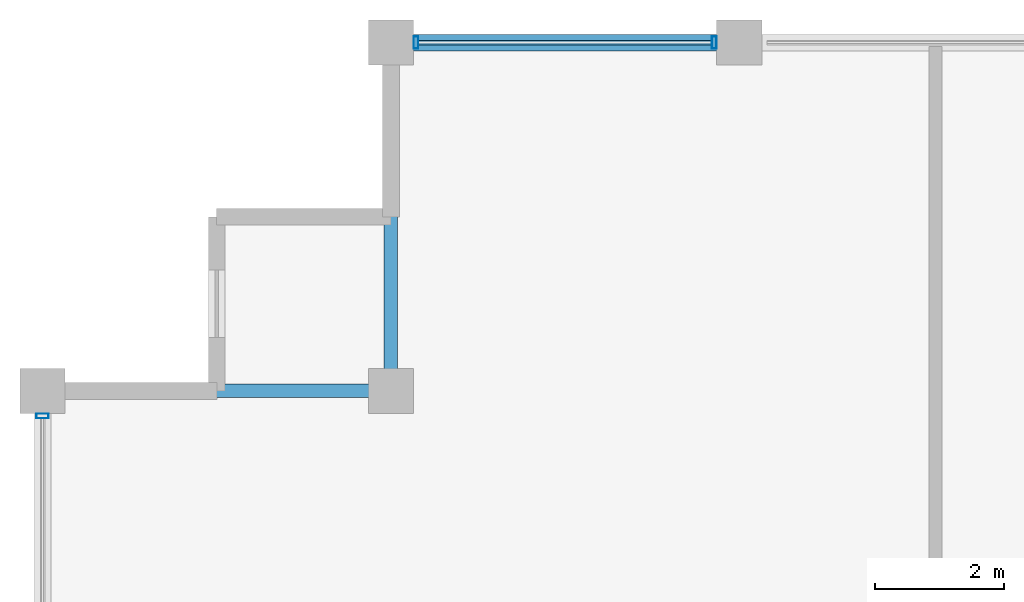
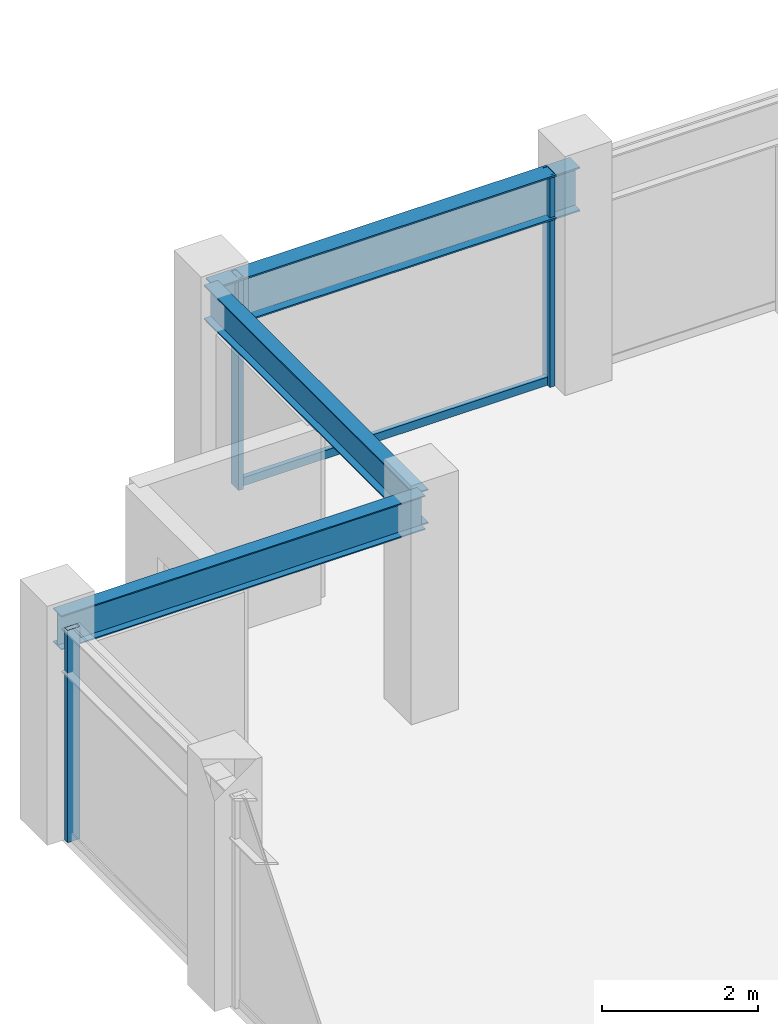
# One storey, part 16 of 31: 4 members, 3 beams, 2 elements without a shape of their own.
"""IFC4 building model written with IfcOpenShell, lengths in metres."""

from ifc_helpers import new_model, si_unit, direction, frame, origin, origin_2d, place, context, subcontext, project, spatial, hollow_rectangle, i_section, extrude, material, layer, layer_set, material_profile, profile_set, type_object, element, aggregate, save


model = new_model("IFC4")

# Units and contexts
model_context = context("Model", 3, precision=1e-05, world=origin(), true_north=direction((0.0, 1.0)))
body_context = subcontext(model_context, "Body", "Model", "MODEL_VIEW")
ifc_project = project(units=[si_unit("LENGTHUNIT", "METRE"), si_unit("AREAUNIT", "SQUARE_METRE"), si_unit("VOLUMEUNIT", "CUBIC_METRE"), si_unit("PLANEANGLEUNIT", "RADIAN"), si_unit("MASSUNIT", "GRAM", prefix="KILO")], contexts=[model_context])

# Site, building, storey
site_placement = place(None, origin())
site = spatial("IfcSite", under=ifc_project, at=site_placement, CompositionType="ELEMENT")
building_placement = place(site_placement, origin())
building = spatial("IfcBuilding", under=site, at=building_placement, Name="Surkhivell Harbour Commons", CompositionType="ELEMENT")
storey_placement = place(building_placement, frame((0.0, 0.0, 333.75)))
storey = spatial("IfcBuildingStorey", under=building, at=storey_placement, Name="L87", CompositionType="ELEMENT", Elevation=333.75)

# Beams
ifc_material_1 = material(Name="Steel S355", Category="steel")
ifc_material_profile_1 = material_profile(ifc_material_1, i_section(OverallWidth=0.2099609375, OverallDepth=0.537109375, WebThickness=0.0107421875, FlangeThickness=0.017333984375, at=origin_2d()), Name="UB533x210x101")
ifc_profile_set_1 = profile_set([ifc_material_profile_1], Name="Steel S355")
beam_type_1 = type_object("IfcBeamType", Name="BM-GRD-533B", PredefinedType="BEAM", material=ifc_profile_set_1)
for number, where, z_axis, x_axis, name in (
    (1, (-27.0, 20.5, 3.0615234375), (1.0, 0.0, 0.0), (0.0, 1.0, 0.0), "L87 Floor Girder (-27.0,20.5)"),
    (2, (-21.60009765625, 20.5, 3.0615234375), (0.0, 1.0, 0.0), (-1.0, 0.0, 0.0), "L87 Floor Girder (-21.6,20.5)"),
):
    element("IfcBeam", number, at=place(storey_placement, frame(where, z_axis=z_axis, x_axis=x_axis)), inside=storey, type_object=beam_type_1, Name=name, PredefinedType="BEAM", context=body_context, shape_type="SweptSolid", body=[
        extrude(i_section(OverallWidth=0.2099609375, OverallDepth=0.537109375, WebThickness=0.0107421875, FlangeThickness=0.017333984375, at=origin_2d()), origin(), (0.0, 0.0, 1.0), 5.39990234375),
    ])
ifc_material_profile_2 = material_profile(ifc_material_1, i_section(OverallWidth=0.256103515625, OverallDepth=0.693115234375, WebThickness=0.014404296875, FlangeThickness=0.023681640625, at=origin_2d()), Name="UB686x254x170")
ifc_profile_set_2 = profile_set([ifc_material_profile_2], Name="Steel S355")
beam_type_2 = type_object("IfcBeamType", Name="BM-SPN-686", PredefinedType="SPANDREL", material=ifc_profile_set_2)
beam_placement = place(storey_placement, frame((-21.60009765625, 25.89990234375, 2.9833984375), z_axis=(1.0, 0.0, 0.0), x_axis=(0.0, 1.0, 0.0)))
element("IfcBeam", 3, at=beam_placement, inside=storey, type_object=beam_type_2, Name="L87 Tube Spandrel (-21.6,25.9)", PredefinedType="SPANDREL", context=body_context, shape_type="SweptSolid", body=[
    extrude(i_section(OverallWidth=0.256103515625, OverallDepth=0.693115234375, WebThickness=0.014404296875, FlangeThickness=0.023681640625, at=origin_2d()), origin(), (0.0, 0.0, 1.0), 5.400146484375),
])

# Curtain wall, members
ifc_material_2 = material(Name="Anodised pale-metal aluminium and insulated glazing", Category="aluminium")
ifc_layer = layer(ifc_material_2, 0.175048828125)
ifc_layer_set = layer_set([ifc_layer], Name="Anodised pale-metal aluminium and insulated glazing")
curtain_wall_type = type_object("IfcCurtainWallType", Name="CW-SYS-Z4", PredefinedType="NOTDEFINED", material=ifc_layer_set)
curtain_wall_1_placement = place(storey_placement, origin())
curtain_wall_1 = element("IfcCurtainWall", 4, at=curtain_wall_1_placement, inside=storey, type_object=curtain_wall_type, Name="L87 Curtain Wall CW-L87-E07S2", PredefinedType="NOTDEFINED")
ifc_material_3 = material(Name="Anodised pale-metal aluminium alloy 6063-T6", Category="aluminium")
ifc_material_profile_3 = material_profile(ifc_material_3, hollow_rectangle(XDim=0.074951171875, YDim=0.18994140625, WallThickness=0.00390625, at=origin_2d()), Name="ALU-MULL-75x190")
ifc_profile_set_3 = profile_set([ifc_material_profile_3], Name="Anodised pale-metal aluminium alloy 6063-T6")
member_type_1 = type_object("IfcMemberType", Name="CWM-190", PredefinedType="MULLION", material=ifc_profile_set_3)
member_1_placement = place(storey_placement, frame((-16.589599609375, 25.89990234375, 0.0), z_axis=(0.0, 0.0, 1.0), x_axis=(-1.0, 0.0, 0.0)))
member_1 = element("IfcMember", 5, at=member_1_placement, type_object=member_type_1, Name="CW-Z4 mullion 3", PredefinedType="MULLION", context=body_context, shape_type="SweptSolid", body=[
    extrude(hollow_rectangle(XDim=0.074951171875, YDim=0.18994140625, WallThickness=0.00390625, at=origin_2d()), origin(), (0.0, 0.0, 1.0), 3.330078125),
])
member_2_placement = place(storey_placement, frame((-21.21044921875, 25.89990234375, 0.0), z_axis=(0.0, 0.0, 1.0), x_axis=(-1.0, 0.0, 0.0)))
member_2 = element("IfcMember", 6, at=member_2_placement, type_object=member_type_1, Name="CW-Z4 mullion 4", PredefinedType="MULLION", context=body_context, shape_type="SweptSolid", body=[
    extrude(hollow_rectangle(XDim=0.074951171875, YDim=0.18994140625, WallThickness=0.00390625, at=origin_2d()), origin(), (0.0, 0.0, 1.0), 3.330078125),
])

# Curtain wall, member
curtain_wall_2_placement = place(storey_placement, origin())
curtain_wall_2 = element("IfcCurtainWall", 7, at=curtain_wall_2_placement, inside=storey, type_object=curtain_wall_type, Name="L87 Curtain Wall CW-L87-E12S1", PredefinedType="NOTDEFINED")
member_3_placement = place(storey_placement, frame((-27.0, 20.110595703125, 0.0), z_axis=(0.0, 0.0, 1.0), x_axis=(0.0, -1.0, 0.0)))
member_3 = element("IfcMember", 8, at=member_3_placement, type_object=member_type_1, Name="CW-Z4 mullion 1", PredefinedType="MULLION", context=body_context, shape_type="SweptSolid", body=[
    extrude(hollow_rectangle(XDim=0.074951171875, YDim=0.18994140625, WallThickness=0.00390625, at=origin_2d()), origin(), (0.0, 0.0, 1.0), 3.330078125),
])
aggregate(curtain_wall_2, [member_3])

# Member
ifc_material_4 = material(Name="Champagne anodised aluminium alloy 6063-T6", Category="aluminium")
ifc_material_profile_4 = material_profile(ifc_material_4, hollow_rectangle(XDim=0.070068359375, YDim=0.1298828125, WallThickness=0.00341796875, at=origin_2d()), Name="ALU-TRAN-70x130")
ifc_profile_set_4 = profile_set([ifc_material_profile_4], Name="Champagne anodised aluminium alloy 6063-T6")
member_type_2 = type_object("IfcMemberType", Name="CWT-130", PredefinedType="USERDEFINED", material=ifc_profile_set_4)
member_4_placement = place(storey_placement, frame((-16.626953125, 25.89990234375, 0.06494140625), z_axis=(-1.0, 0.0, 0.0), x_axis=(0.0, -1.0, 0.0)))
member_4 = element("IfcMember", 9, at=member_4_placement, type_object=member_type_2, Name="CW-Z4 transom 3.1", ObjectType="TRANSOM", PredefinedType="USERDEFINED", context=body_context, shape_type="SweptSolid", body=[
    extrude(hollow_rectangle(XDim=0.070068359375, YDim=0.1298828125, WallThickness=0.00341796875, at=origin_2d()), origin(), (0.0, 0.0, 1.0), 4.546142578125),
])

aggregate(curtain_wall_1, [member_1, member_2, member_4])

save(model, "model.ifc")
